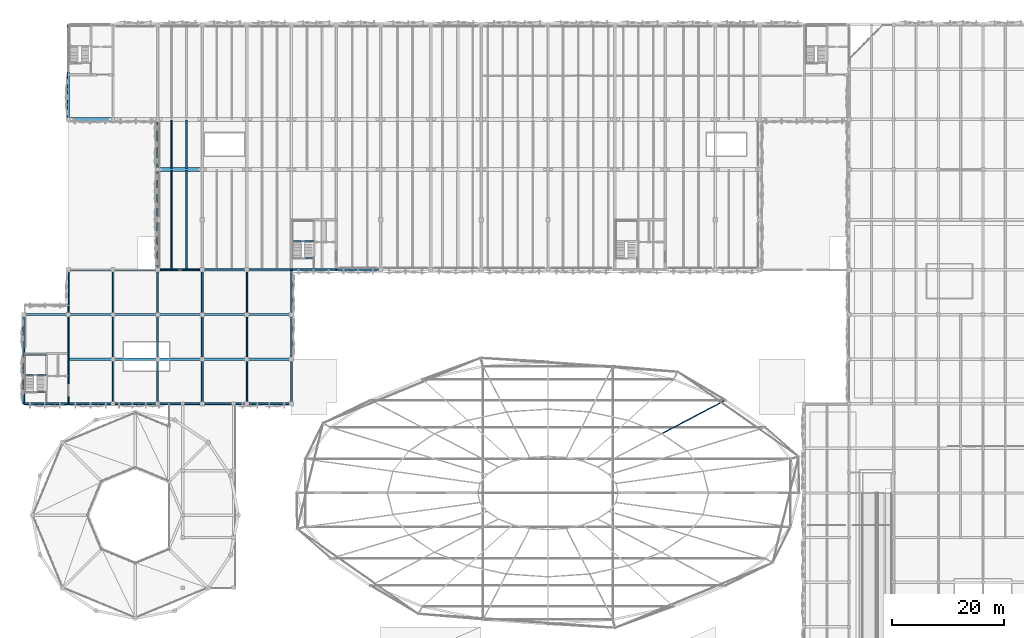
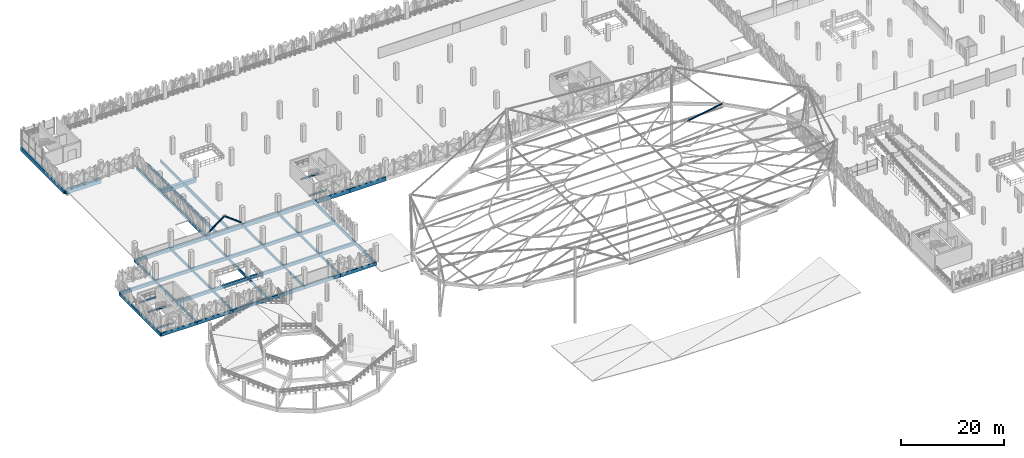
# One storey, part 14 of 96: 59 beams, 2 members.
"""IFC4 building model written with IfcOpenShell, lengths in metres."""

from ifc_helpers import new_model, si_unit, derived_unit, direction, frame, origin, origin_2d, place, context, subcontext, project, spatial, rectangle, hollow_circle, i_section, extrude, material, material_profile, profile_set, type_object, element, save


model = new_model("IFC4")

# Units and contexts
model_context = context("Model", 3, precision=1e-05, world=origin(), true_north=direction((0.0, 1.0)))
body_context = subcontext(model_context, "Body", "Model", "MODEL_VIEW")
ifc_project = project(units=[si_unit("LENGTHUNIT", "METRE"), si_unit("AREAUNIT", "SQUARE_METRE"), si_unit("VOLUMEUNIT", "CUBIC_METRE"), si_unit("PLANEANGLEUNIT", "RADIAN"), si_unit("MASSUNIT", "GRAM", prefix="KILO"), si_unit("THERMODYNAMICTEMPERATUREUNIT", "KELVIN"), derived_unit("THERMALTRANSMITTANCEUNIT", [(si_unit("POWERUNIT", "WATT"), 1), (si_unit("AREAUNIT", "SQUARE_METRE"), -1), (si_unit("THERMODYNAMICTEMPERATUREUNIT", "KELVIN"), -1)])], contexts=[model_context])

# Site, building, storey
site_placement = place(None, origin())
site = spatial("IfcSite", under=ifc_project, at=site_placement, CompositionType="ELEMENT")
building_placement = place(site_placement, origin())
building = spatial("IfcBuilding", under=site, at=building_placement, Name="Haiyu Intermodal Mobility Hub", CompositionType="ELEMENT")
storey_placement = place(building_placement, frame((0.0, 0.0, 9.5)))
storey = spatial("IfcBuildingStorey", under=building, at=storey_placement, Name="L02", CompositionType="ELEMENT", Elevation=9.5)

# Beams
ifc_material_1 = material(Name="Concrete C40", Category="concrete")
ifc_material_profile_1 = material_profile(ifc_material_1, rectangle(XDim=0.39990234375, YDim=0.75, at=origin_2d()), Name="RCB400x750")
ifc_profile_set_1 = profile_set([ifc_material_profile_1], Name="Concrete C40")
beam_type_1 = type_object("IfcBeamType", Name="BM-CB03", PredefinedType="BEAM", material=ifc_profile_set_1)
for number, where, z_axis, x_axis, name in (
    (1, (22.0, 88.0, -0.639892578125), (1.0, 0.0, 0.0), (0.0, 1.0, 0.0), "BM-V4WG-L02-008"),
    (2, (30.0, 88.0, -0.639892578125), (1.0, 0.0, 0.0), (0.0, 1.0, 0.0), "BM-V4WG-L02-009"),
    (3, (38.0, 88.0, -0.639892578125), (1.0, 0.0, 0.0), (0.0, 1.0, 0.0), "BM-V4WG-L02-010"),
    (4, (46.0, 88.0, -0.639892578125), (1.0, 0.0, 0.0), (0.0, 1.0, 0.0), "BM-V4WG-L02-011"),
    (5, (54.0, 88.0, -0.639892578125), (1.0, 0.0, 0.0), (0.0, 1.0, 0.0), "BM-V4WG-L02-012"),
    (6, (14.0, 96.0, -0.639892578125), (1.0, 0.0, 0.0), (0.0, 1.0, 0.0), "BM-V4WG-L02-013"),
    (7, (22.0, 96.0, -0.639892578125), (1.0, 0.0, 0.0), (0.0, 1.0, 0.0), "BM-V4WG-L02-014"),
    (8, (30.0, 96.0, -0.639892578125), (1.0, 0.0, 0.0), (0.0, 1.0, 0.0), "BM-V4WG-L02-015"),
    (9, (38.0, 96.0, -0.639892578125), (1.0, 0.0, 0.0), (0.0, 1.0, 0.0), "BM-V4WG-L02-016"),
    (10, (46.0, 96.0, -0.639892578125), (1.0, 0.0, 0.0), (0.0, 1.0, 0.0), "BM-V4WG-L02-017"),
    (11, (54.0, 96.0, -0.639892578125), (1.0, 0.0, 0.0), (0.0, 1.0, 0.0), "BM-V4WG-L02-018"),
    (12, (22.0, 104.0, -0.639892578125), (1.0, 0.0, 0.0), (0.0, 1.0, 0.0), "BM-V4WG-L02-019"),
    (13, (30.0, 104.0, -0.639892578125), (1.0, 0.0, 0.0), (0.0, 1.0, 0.0), "BM-V4WG-L02-020"),
):
    element("IfcBeam", number, at=place(storey_placement, frame(where, z_axis=z_axis, x_axis=x_axis)), inside=storey, type_object=beam_type_1, Name=name, PredefinedType="BEAM", context=body_context, shape_type="SweptSolid", body=[
        extrude(rectangle(XDim=0.39990234375, YDim=0.75, at=origin_2d()), origin(), (0.0, 0.0, 1.0), 8.0),
    ])
ifc_material_profile_2 = material_profile(ifc_material_1, rectangle(XDim=0.35009765625, YDim=0.64990234375, at=origin_2d()), Name="RCB350x650")
ifc_profile_set_2 = profile_set([ifc_material_profile_2], Name="Concrete C40")
beam_type_2 = type_object("IfcBeamType", Name="BM-CB04", PredefinedType="BEAM", material=ifc_profile_set_2)
beam_1_placement = place(storey_placement, frame((38.0, 104.0, -0.60009765625), z_axis=(0.0, 1.0, 0.0), x_axis=(-1.0, 0.0, 0.0)))
element("IfcBeam", 14, at=beam_1_placement, inside=storey, type_object=beam_type_2, Name="BM-V4E-L02-003", PredefinedType="BEAM", context=body_context, shape_type="SweptSolid", body=[
    extrude(rectangle(XDim=0.35009765625, YDim=0.64990234375, at=origin_2d()), origin(), (0.0, 0.0, 1.0), 18.0),
])
beam_2_placement = place(storey_placement, frame((38.0, 122.0, -0.60009765625), z_axis=(0.0, 1.0, 0.0), x_axis=(-1.0, 0.0, 0.0)))
element("IfcBeam", 15, at=beam_2_placement, inside=storey, type_object=beam_type_2, Name="BM-V4E-L02-004", PredefinedType="BEAM", context=body_context, shape_type="SweptSolid", body=[
    extrude(rectangle(XDim=0.35009765625, YDim=0.64990234375, at=origin_2d()), origin(), (0.0, 0.0, 1.0), 9.0),
])
ifc_material_profile_3 = material_profile(ifc_material_1, rectangle(XDim=0.280029296875, YDim=0.5400390625, at=origin_2d()), Name="RCB280x540")
ifc_profile_set_3 = profile_set([ifc_material_profile_3], Name="Concrete C40")
beam_type_3 = type_object("IfcBeamType", Name="BM-CB08", PredefinedType="JOIST", material=ifc_profile_set_3)
for number, where, z_axis, x_axis, name in (
    (16, (22.0, 80.0, -0.534912109375), (0.0, 1.0, 0.0), (-1.0, 0.0, 0.0), "BM-V4WJ-L02-003"),
    (17, (22.0, 88.0, -0.534912109375), (0.0, 1.0, 0.0), (-1.0, 0.0, 0.0), "BM-V4WJ-L02-004"),
    (18, (22.0, 96.0, -0.534912109375), (0.0, 1.0, 0.0), (-1.0, 0.0, 0.0), "BM-V4WJ-L02-005"),
    (19, (30.0, 80.0, -0.534912109375), (0.0, 1.0, 0.0), (-1.0, 0.0, 0.0), "BM-V4WJ-L02-006"),
    (20, (30.0, 88.0, -0.534912109375), (0.0, 1.0, 0.0), (-1.0, 0.0, 0.0), "BM-V4WJ-L02-007"),
    (21, (30.0, 96.0, -0.534912109375), (0.0, 1.0, 0.0), (-1.0, 0.0, 0.0), "BM-V4WJ-L02-008"),
    (22, (38.0, 80.0, -0.534912109375), (0.0, 1.0, 0.0), (-1.0, 0.0, 0.0), "BM-V4WJ-L02-009"),
    (23, (38.0, 88.0, -0.534912109375), (0.0, 1.0, 0.0), (-1.0, 0.0, 0.0), "BM-V4WJ-L02-010"),
    (24, (38.0, 96.0, -0.534912109375), (0.0, 1.0, 0.0), (-1.0, 0.0, 0.0), "BM-V4WJ-L02-011"),
    (25, (46.0, 80.0, -0.534912109375), (0.0, 1.0, 0.0), (-1.0, 0.0, 0.0), "BM-V4WJ-L02-012"),
    (26, (46.0, 88.0, -0.534912109375), (0.0, 1.0, 0.0), (-1.0, 0.0, 0.0), "BM-V4WJ-L02-013"),
    (27, (46.0, 96.0, -0.534912109375), (0.0, 1.0, 0.0), (-1.0, 0.0, 0.0), "BM-V4WJ-L02-014"),
    (28, (54.0, 80.0, -0.534912109375), (0.0, 1.0, 0.0), (-1.0, 0.0, 0.0), "BM-V4WJ-L02-015"),
    (29, (54.0, 88.0, -0.534912109375), (0.0, 1.0, 0.0), (-1.0, 0.0, 0.0), "BM-V4WJ-L02-016"),
    (30, (54.0, 96.0, -0.534912109375), (0.0, 1.0, 0.0), (-1.0, 0.0, 0.0), "BM-V4WJ-L02-017"),
):
    element("IfcBeam", number, at=place(storey_placement, frame(where, z_axis=z_axis, x_axis=x_axis)), inside=storey, type_object=beam_type_3, Name=name, PredefinedType="JOIST", context=body_context, shape_type="SweptSolid", body=[
        extrude(rectangle(XDim=0.280029296875, YDim=0.5400390625, at=origin_2d()), origin(), (0.0, 0.0, 1.0), 8.0),
    ])
ifc_material_2 = material(Name="Precast concrete C50", Category="concrete")
ifc_material_profile_4 = material_profile(ifc_material_2, rectangle(XDim=0.239990234375, YDim=0.780029296875, at=origin_2d()), Name="PC240x780")
ifc_profile_set_4 = profile_set([ifc_material_profile_4], Name="Precast concrete C50")
beam_type_4 = type_object("IfcBeamType", Name="BM-DT01", PredefinedType="JOIST", material=ifc_profile_set_4)
for number, where, z_axis, x_axis, name in (
    (31, (40.5, 104.0, -0.6650390625), (0.0, 1.0, 0.0), (-1.0, 0.0, 0.0), "BM-DT-L02-001"),
    (32, (43.199951171875, 104.0, -0.6650390625), (0.0, 1.0, 0.0), (-1.0, 0.0, 0.0), "BM-DT-L02-004"),
):
    element("IfcBeam", number, at=place(storey_placement, frame(where, z_axis=z_axis, x_axis=x_axis)), inside=storey, type_object=beam_type_4, Name=name, PredefinedType="JOIST", context=body_context, shape_type="SweptSolid", body=[
        extrude(rectangle(XDim=0.239990234375, YDim=0.780029296875, at=origin_2d()), origin(), (0.0, 0.0, 1.0), 17.804931640625),
    ])
ifc_material_profile_5 = material_profile(ifc_material_2, rectangle(XDim=0.22998046875, YDim=0.68994140625, at=origin_2d()), Name="B230x690")
ifc_profile_set_5 = profile_set([ifc_material_profile_5], Name="Precast concrete C50")
beam_type_5 = type_object("IfcBeamType", Name="BM-DT06", PredefinedType="JOIST", material=ifc_profile_set_5)
for number, where, z_axis, x_axis, name in (
    (33, (40.5, 122.195068359375, -0.6201171875), (0.0, 1.0, 0.0), (-1.0, 0.0, 0.0), "BM-DT-L02-002"),
    (34, (43.199951171875, 122.195068359375, -0.6201171875), (0.0, 1.0, 0.0), (-1.0, 0.0, 0.0), "BM-DT-L02-005"),
):
    element("IfcBeam", number, at=place(storey_placement, frame(where, z_axis=z_axis, x_axis=x_axis)), inside=storey, type_object=beam_type_5, Name=name, PredefinedType="JOIST", context=body_context, shape_type="SweptSolid", body=[
        extrude(rectangle(XDim=0.22998046875, YDim=0.68994140625, at=origin_2d()), origin(), (0.0, 0.0, 1.0), 8.60986328125),
    ])
ifc_material_profile_6 = material_profile(ifc_material_2, rectangle(XDim=0.719970703125, YDim=0.8798828125, at=origin_2d()), Name="B720x880")
ifc_profile_set_6 = profile_set([ifc_material_profile_6], Name="Precast concrete C50")
beam_type_6 = type_object("IfcBeamType", Name="BM-IT04", PredefinedType="T_BEAM", material=ifc_profile_set_6)
for number, where, z_axis, x_axis, name in (
    (35, (38.0, 122.0, -0.715087890625), (1.0, 0.0, 0.0), (0.0, 1.0, 0.0), "BM-V4G-L02-013"),
    (36, (22.0, 131.0, -0.715087890625), (1.0, 0.0, 0.0), (0.0, 1.0, 0.0), "BM-V4G-L02-025"),
):
    element("IfcBeam", number, at=place(storey_placement, frame(where, z_axis=z_axis, x_axis=x_axis)), inside=storey, type_object=beam_type_6, Name=name, PredefinedType="T_BEAM", context=body_context, shape_type="SweptSolid", body=[
        extrude(rectangle(XDim=0.719970703125, YDim=0.8798828125, at=origin_2d()), origin(), (0.0, 0.0, 1.0), 8.0),
    ])
ifc_material_3 = material(Name="Steel Q355C", Category="steel")
ifc_material_profile_7 = material_profile(ifc_material_3, i_section(OverallWidth=0.199951171875, OverallDepth=0.39990234375, WebThickness=0.008056640625, FlangeThickness=0.012939453125, FilletRadius=0.01611328125, at=origin_2d()), Name="HN400x200x8x13")
ifc_profile_set_7 = profile_set([ifc_material_profile_7], Name="Steel Q355C")
beam_type_7 = type_object("IfcBeamType", Name="BM-SB08", PredefinedType="JOIST", material=ifc_profile_set_7)
for number, where, z_axis, x_axis, name in (
    (37, (62.0, 106.10009765625, -0.52490234375), (1.0, 0.0, 0.0), (0.0, 1.0, 0.0), "Stair Arrival Trimmer Beam C5-L01"),
    (38, (62.0, 109.1298828125, 1.52490234375), (1.0, 0.0, 0.0), (0.0, 1.0, 0.0), "Stair Half-Landing Front Beam C5-L02"),
    (39, (14.0, 82.10009765625, -0.52490234375), (1.0, 0.0, 0.0), (0.0, 1.0, 0.0), "Stair Arrival Trimmer Beam C7-L01"),
    (40, (14.0, 85.1298828125, 1.52490234375), (1.0, 0.0, 0.0), (0.0, 1.0, 0.0), "Stair Half-Landing Front Beam C7-L02"),
    (41, (14.0, 88.780029296875, 1.52490234375), (1.0, 0.0, 0.0), (0.0, 1.0, 0.0), "Stair Half-Landing Rear Beam C7-L02"),
):
    element("IfcBeam", number, at=place(storey_placement, frame(where, z_axis=z_axis, x_axis=x_axis)), inside=storey, type_object=beam_type_7, Name=name, PredefinedType="JOIST", context=body_context, shape_type="SweptSolid", body=[
        extrude(i_section(OverallWidth=0.199951171875, OverallDepth=0.39990234375, WebThickness=0.008056640625, FlangeThickness=0.012939453125, FilletRadius=0.01611328125, at=origin_2d()), origin(), (0.0, 0.0, 1.0), 4.050048828125),
    ])
ifc_material_profile_8 = material_profile(ifc_material_3, i_section(OverallWidth=0.14990234375, OverallDepth=0.300048828125, WebThickness=0.006591796875, FlangeThickness=0.009033203125, FilletRadius=0.012939453125, at=origin_2d()), Name="HN300x150x6.5x9")
ifc_profile_set_8 = profile_set([ifc_material_profile_8], Name="Steel Q355C")
beam_type_8 = type_object("IfcBeamType", Name="BM-SB10-INT", PredefinedType="JOIST", material=ifc_profile_set_8)
beam_3_placement = place(storey_placement, frame((139.820068359375, 80.616943359375, 9.5380859375), z_axis=(-0.857322605249, -0.447700734736, 0.254090540251), x_axis=(0.462892669967, -0.886414336578, 0.0)))
element("IfcBeam", 42, at=beam_3_placement, inside=storey, type_object=beam_type_8, Name="BM-SADRAD-055", PredefinedType="JOIST", context=body_context, shape_type="SweptSolid", body=[
    extrude(i_section(OverallWidth=0.14990234375, OverallDepth=0.300048828125, WebThickness=0.006591796875, FlangeThickness=0.009033203125, FilletRadius=0.012939453125, at=origin_2d()), origin(), (0.0, 0.0, 1.0), 13.361572265625),
])
ifc_material_4 = material(Name="Precast concrete C40", Category="concrete")
ifc_material_profile_9 = material_profile(ifc_material_4, rectangle(XDim=0.35009765625, YDim=0.949951171875, at=origin_2d()), Name="PC350x950")
ifc_profile_set_9 = profile_set([ifc_material_profile_9], Name="Precast concrete C40")
beam_type_9 = type_object("IfcBeamType", Name="BM-SP01", PredefinedType="SPANDREL", material=ifc_profile_set_9)
for number, where, z_axis, x_axis, name in (
    (43, (38.0, 104.0, -0.75), (1.0, 0.0, 0.0), (0.0, 1.0, 0.0), "BM-V4G-L02-001"),
    (44, (46.0, 104.0, -0.75), (1.0, 0.0, 0.0), (0.0, 1.0, 0.0), "BM-V4G-L02-002"),
    (45, (54.0, 104.0, -0.75), (1.0, 0.0, 0.0), (0.0, 1.0, 0.0), "BM-V4G-L02-003"),
    (46, (62.0, 104.0, -0.75), (1.0, 0.0, 0.0), (0.0, 1.0, 0.0), "BM-V4G-L02-004"),
    (47, (70.0, 104.0, -0.75), (1.0, 0.0, 0.0), (0.0, 1.0, 0.0), "BM-V4G-L02-005"),
):
    element("IfcBeam", number, at=place(storey_placement, frame(where, z_axis=z_axis, x_axis=x_axis)), inside=storey, type_object=beam_type_9, Name=name, PredefinedType="SPANDREL", context=body_context, shape_type="SweptSolid", body=[
        extrude(rectangle(XDim=0.35009765625, YDim=0.949951171875, at=origin_2d()), origin(), (0.0, 0.0, 1.0), 8.0),
    ])
ifc_material_profile_10 = material_profile(ifc_material_4, rectangle(XDim=0.300048828125, YDim=0.780029296875, at=origin_2d()), Name="PC300x780")
ifc_profile_set_10 = profile_set([ifc_material_profile_10], Name="Precast concrete C40")
beam_type_10 = type_object("IfcBeamType", Name="BM-SP03", PredefinedType="SPANDREL", material=ifc_profile_set_10)
for number, where, z_axis, x_axis, name in (
    (48, (14.0, 80.0, -0.655029296875), (1.0, 0.0, 0.0), (0.0, 1.0, 0.0), "BM-V4WG-L02-001"),
    (49, (22.0, 80.0, -0.655029296875), (1.0, 0.0, 0.0), (0.0, 1.0, 0.0), "BM-V4WG-L02-002"),
    (50, (30.0, 80.0, -0.655029296875), (1.0, 0.0, 0.0), (0.0, 1.0, 0.0), "BM-V4WG-L02-003"),
    (51, (38.0, 80.0, -0.655029296875), (1.0, 0.0, 0.0), (0.0, 1.0, 0.0), "BM-V4WG-L02-004"),
    (52, (46.0, 80.0, -0.655029296875), (1.0, 0.0, 0.0), (0.0, 1.0, 0.0), "BM-V4WG-L02-005"),
    (53, (54.0, 80.0, -0.655029296875), (1.0, 0.0, 0.0), (0.0, 1.0, 0.0), "BM-V4WG-L02-006"),
    (54, (14.0, 80.0, -0.655029296875), (0.0, 1.0, 0.0), (-1.0, 0.0, 0.0), "BM-V4WJ-L02-001"),
    (55, (14.0, 88.0, -0.655029296875), (0.0, 1.0, 0.0), (-1.0, 0.0, 0.0), "BM-V4WJ-L02-002"),
    (56, (62.0, 80.0, -0.655029296875), (0.0, 1.0, 0.0), (-1.0, 0.0, 0.0), "BM-V4WJ-L02-018"),
    (57, (62.0, 88.0, -0.655029296875), (0.0, 1.0, 0.0), (-1.0, 0.0, 0.0), "BM-V4WJ-L02-019"),
    (58, (62.0, 96.0, -0.655029296875), (0.0, 1.0, 0.0), (-1.0, 0.0, 0.0), "BM-V4WJ-L02-020"),
):
    element("IfcBeam", number, at=place(storey_placement, frame(where, z_axis=z_axis, x_axis=x_axis)), inside=storey, type_object=beam_type_10, Name=name, PredefinedType="SPANDREL", context=body_context, shape_type="SweptSolid", body=[
        extrude(rectangle(XDim=0.300048828125, YDim=0.780029296875, at=origin_2d()), origin(), (0.0, 0.0, 1.0), 8.0),
    ])
ifc_material_profile_11 = material_profile(ifc_material_4, rectangle(XDim=0.340087890625, YDim=0.89990234375, at=origin_2d()), Name="B340x900")
ifc_profile_set_11 = profile_set([ifc_material_profile_11], Name="Precast concrete C40")
beam_type_11 = type_object("IfcBeamType", Name="BM-SP04", PredefinedType="SPANDREL", material=ifc_profile_set_11)
beam_4_placement = place(storey_placement, frame((22.0, 131.0, -0.72509765625), z_axis=(0.0, 1.0, 0.0), x_axis=(-1.0, 0.0, 0.0)))
element("IfcBeam", 59, at=beam_4_placement, inside=storey, type_object=beam_type_11, Name="BM-V4E-L02-001", PredefinedType="SPANDREL", context=body_context, shape_type="SweptSolid", body=[
    extrude(rectangle(XDim=0.340087890625, YDim=0.89990234375, at=origin_2d()), origin(), (0.0, 0.0, 1.0), 17.0),
])

# Members
ifc_material_profile_12 = material_profile(ifc_material_3, hollow_circle(Radius=0.177978515625, WallThickness=0.011962890625, at=origin_2d()), Name="CHS356x12")
ifc_profile_set_12 = profile_set([ifc_material_profile_12], Name="Steel Q355C")
member_type = type_object("IfcMemberType", Name="MEM-BR01", PredefinedType="BRACE", material=ifc_profile_set_12)
for number, where, z_axis, x_axis, name in (
    (60, (38.0, 104.0, 0.0), (0.8, 0.0, 0.6), (0.0, 1.0, 0.0), "Seismic Chevron Brace B4-L02-A"),
    (61, (46.0, 104.0, 0.0), (-0.8, 0.0, 0.6), (0.0, -1.0, 0.0), "Seismic Chevron Brace B4-L02-B"),
):
    element("IfcMember", number, at=place(storey_placement, frame(where, z_axis=z_axis, x_axis=x_axis)), inside=storey, type_object=member_type, Name=name, PredefinedType="BRACE", context=body_context, shape_type="SweptSolid", body=[
        extrude(hollow_circle(Radius=0.177978515625, WallThickness=0.011962890625, at=origin_2d()), origin(), (0.0, 0.0, 1.0), 5.0),
    ])

save(model, "model.ifc")
